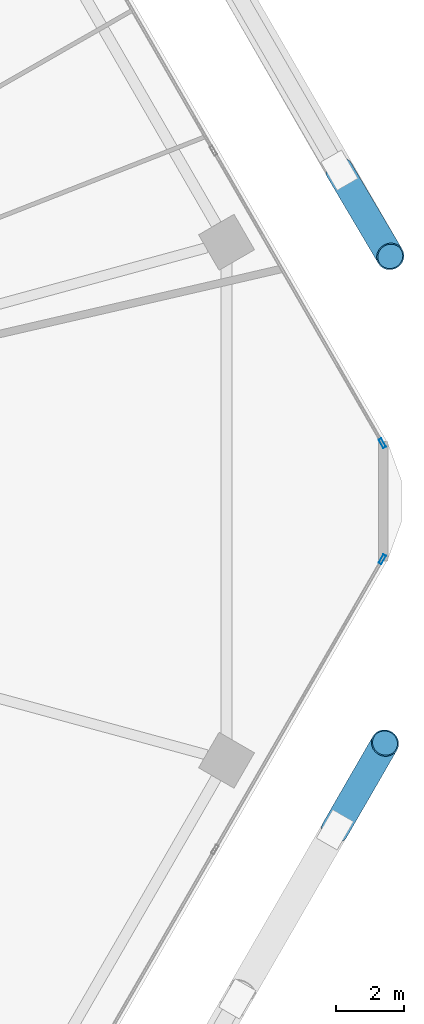
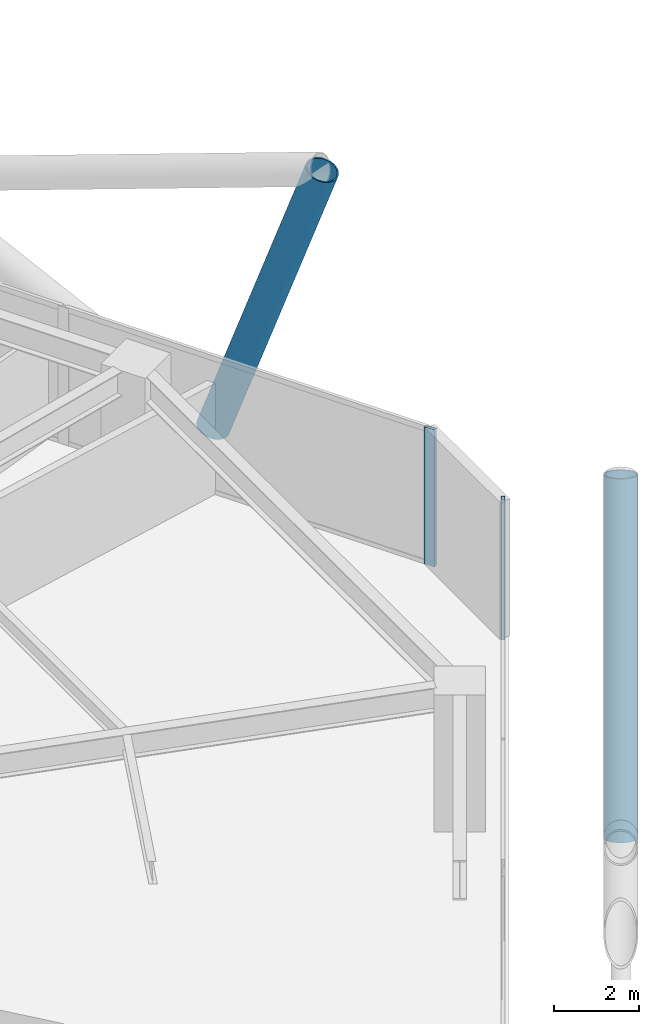
# One storey, part 23 of 28: 4 members, 2 elements without a shape of their own.
"""IFC4 building model written with IfcOpenShell, lengths in metres."""

from ifc_helpers import new_model, si_unit, direction, frame, origin, origin_2d, place, context, subcontext, project, spatial, hollow_rectangle, hollow_circle, extrude, material, material_profile, profile_set, type_object, element, aggregate, save


model = new_model("IFC4")

# Units and contexts
model_context = context("Model", 3, precision=1e-05, world=origin(), true_north=direction((0.0, 1.0)))
body_context = subcontext(model_context, "Body", "Model", "MODEL_VIEW")
ifc_project = project(units=[si_unit("LENGTHUNIT", "METRE"), si_unit("AREAUNIT", "SQUARE_METRE"), si_unit("VOLUMEUNIT", "CUBIC_METRE"), si_unit("PLANEANGLEUNIT", "RADIAN"), si_unit("MASSUNIT", "GRAM", prefix="KILO")], contexts=[model_context])

# Site, building, storey
site_placement = place(None, origin())
site = spatial("IfcSite", under=ifc_project, at=site_placement, CompositionType="ELEMENT")
building_placement = place(site_placement, origin())
building = spatial("IfcBuilding", under=site, at=building_placement, Name="Zuhravey Tower", CompositionType="ELEMENT")
storey_placement = place(building_placement, frame((0.0, 0.0, 49.800048828125)))
storey = spatial("IfcBuildingStorey", under=building, at=storey_placement, Name="L12", CompositionType="ELEMENT", Elevation=49.800048828125)

# Curtain wall, member
ifc_material_1 = material(Name="Thermally broken anodised aluminium", Category="aluminium")
curtain_wall_type = type_object("IfcCurtainWallType", Name="School Low-E Unitised Curtain Wall CW1", PredefinedType="NOTDEFINED", material=ifc_material_1)
curtain_wall_1_placement = place(storey_placement, origin())
curtain_wall_1 = element("IfcCurtainWall", 1, at=curtain_wall_1_placement, inside=storey, type_object=curtain_wall_type, Name="L12 CW1 CW-L12-F6-1", PredefinedType="NOTDEFINED")
ifc_material_2 = material(Name="Anodised aluminium", Category="aluminium")
ifc_material_profile_1 = material_profile(ifc_material_2, hollow_rectangle(XDim=0.090087890625, YDim=0.284912109375, WallThickness=0.0048828125, at=origin_2d()), Name="ALU-RHS-90x285x5")
ifc_profile_set_1 = profile_set([ifc_material_profile_1], Name="Anodised aluminium")
member_type_1 = type_object("IfcMemberType", Name="Curtain-Wall Mullion 90x180", PredefinedType="MULLION", material=ifc_profile_set_1)
member_1_placement = place(storey_placement, frame((68.4560546875, 30.298583984375, 0.0), z_axis=(0.0, 0.0, 1.0), x_axis=(0.86602552265, -0.499999794119, 0.0)))
member_1 = element("IfcMember", 2, at=member_1_placement, type_object=member_type_1, Name="CW1 mullion 1", PredefinedType="MULLION", context=body_context, shape_type="SweptSolid", body=[
    extrude(hollow_rectangle(XDim=0.090087890625, YDim=0.284912109375, WallThickness=0.0048828125, at=origin_2d()), origin(), (0.0, 0.0, 1.0), 3.919921875),
])
aggregate(curtain_wall_1, [member_1])

curtain_wall_2_placement = place(storey_placement, origin())
curtain_wall_2 = element("IfcCurtainWall", 3, at=curtain_wall_2_placement, inside=storey, type_object=curtain_wall_type, Name="L12 CW1 CW-L12-F1-2", PredefinedType="NOTDEFINED")
member_2_placement = place(storey_placement, frame((68.4560546875, 33.701416015625, 0.0), z_axis=(0.0, 0.0, 1.0), x_axis=(0.866025056944, 0.500000600745, 0.0)))
member_2 = element("IfcMember", 4, at=member_2_placement, type_object=member_type_1, Name="CW1 mullion 3", PredefinedType="MULLION", context=body_context, shape_type="SweptSolid", body=[
    extrude(hollow_rectangle(XDim=0.090087890625, YDim=0.284912109375, WallThickness=0.0048828125, at=origin_2d()), origin(), (0.0, 0.0, 1.0), 3.919921875),
])
aggregate(curtain_wall_2, [member_2])

# Members
ifc_material_3 = material(Name="Steel SM460", Category="steel")
ifc_material_profile_2 = material_profile(ifc_material_3, hollow_circle(Radius=0.406494140625, WallThickness=0.035888671875, at=origin_2d()), Name="CHS-812.8x36")
ifc_profile_set_2 = profile_set([ifc_material_profile_2], Name="Steel SM460")
member_type_2 = type_object("IfcMemberType", Name="Exoskeleton Zone 1 Diagrid CHS813x36", PredefinedType="BRACE", material=ifc_profile_set_2)
for number, where, z_axis, x_axis, name in (
    (5, (67.19970703125, 41.697509765625, -0.47216796875), (0.168252707404, -0.284639904708, 0.943753755542), (0.860851811268, 0.508855734995, 0.0), "L12 Face 1 Diagrid Brace 1"),
    (6, (67.06982421875, 22.37744140625, -0.47216796875), (0.165303015494, 0.286350594813, 0.943757516483), (-0.866053660865, 0.499951054106, 0.0), "L12 Face 6 Diagrid Brace 4"),
):
    element("IfcMember", number, at=place(storey_placement, frame(where, z_axis=z_axis, x_axis=x_axis)), inside=storey, type_object=member_type_2, Name=name, PredefinedType="BRACE", context=body_context, shape_type="SweptSolid", body=[
        extrude(hollow_circle(Radius=0.406494140625, WallThickness=0.035888671875, at=origin_2d()), origin(), (0.0, 0.0, 1.0), 8.854248046875),
    ])

save(model, "model.ifc")
